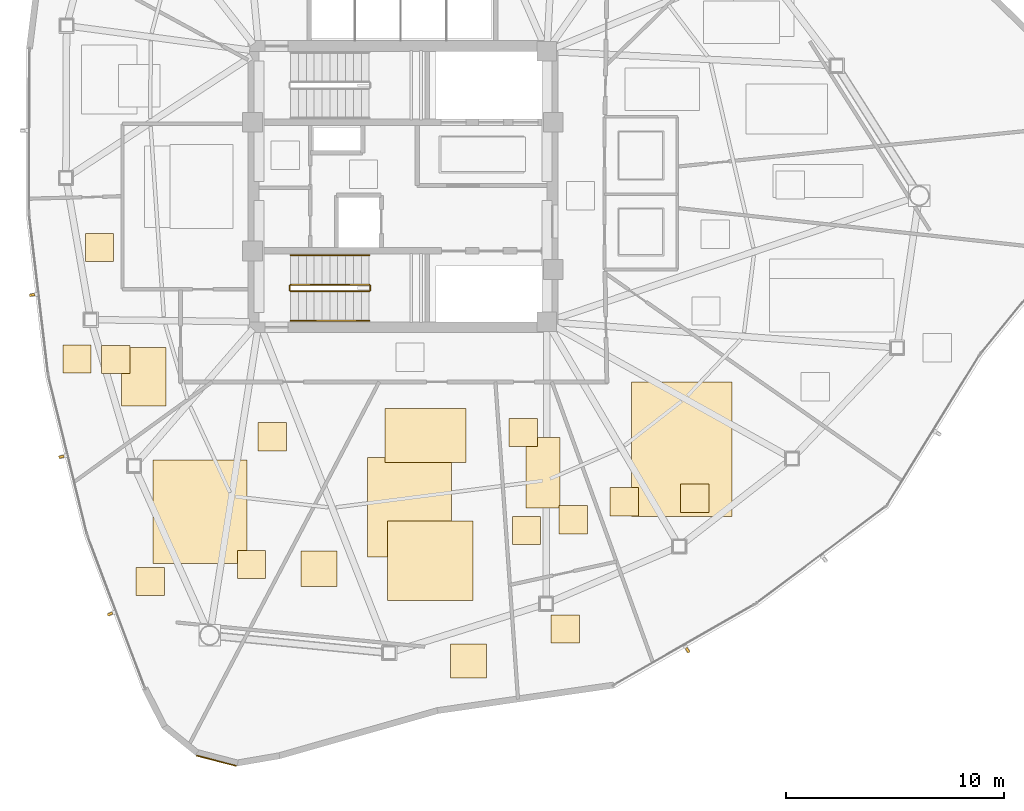
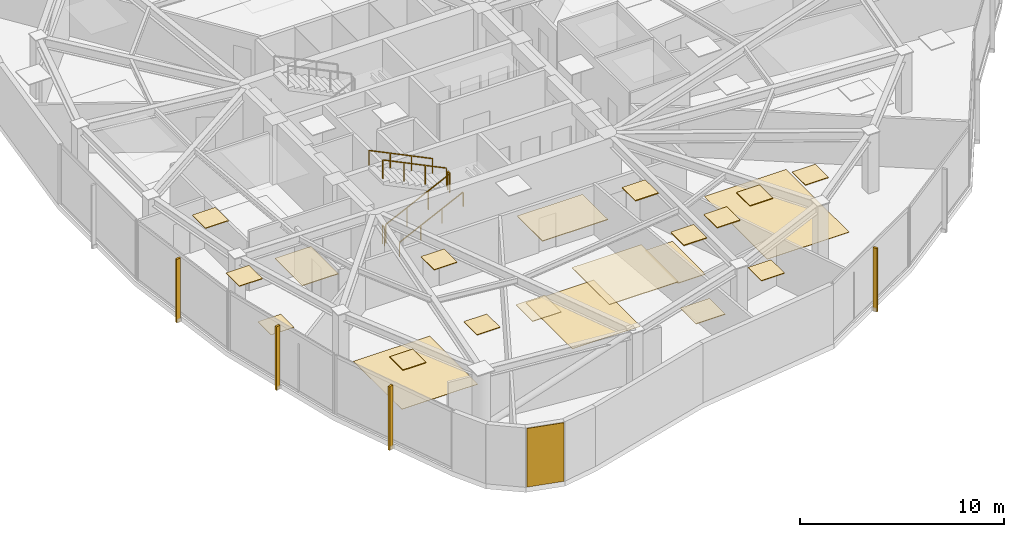
# One storey, part 15 of 18: 22 coverings, 6 railings, 4 shading devices.
"""IFC4 building model written with IfcOpenShell, lengths in metres."""

from ifc_helpers import new_model, si_unit, direction, frame, origin, origin_2d, place, context, subcontext, project, spatial, polyline, rectangle, outline, extrude, source, transform, mapped, material, layer, layer_set, type_object, type_shapes, element, save


model = new_model("IFC4")

# Units and contexts
model_context = context("Model", 3, precision=1e-05, world=origin(), true_north=direction((0.0, 1.0)))
body_context = subcontext(model_context, "Body", "Model", "MODEL_VIEW")
ifc_project = project(units=[si_unit("LENGTHUNIT", "METRE"), si_unit("AREAUNIT", "SQUARE_METRE"), si_unit("VOLUMEUNIT", "CUBIC_METRE"), si_unit("PLANEANGLEUNIT", "RADIAN"), si_unit("MASSUNIT", "GRAM", prefix="KILO")], contexts=[model_context])

# Site, building, storey
site_placement = place(None, origin())
site = spatial("IfcSite", under=ifc_project, at=site_placement, CompositionType="ELEMENT")
building_placement = place(site_placement, origin())
building = spatial("IfcBuilding", under=site, at=building_placement, Name="Tavelor Broadcast Tower", CompositionType="ELEMENT")
storey_placement = place(building_placement, frame((0.0, 0.0, 173.35009765625)))
storey = spatial("IfcBuildingStorey", under=building, at=storey_placement, Name="L41", CompositionType="ELEMENT", Elevation=173.35009765625)

# Covering
ifc_material_1 = material(Name="Copper-Bronze Anodized Aluminium", Category="aluminium")
ifc_layer_1 = layer(ifc_material_1, 0.050048828125)
ifc_layer_set_1 = layer_set([ifc_layer_1], Name="Copper-Bronze Anodized Aluminium")
covering_type_1 = type_object("IfcCoveringType", Name="Champagne-Bronze Corner Pier Metal Cladding 50 mm", PredefinedType="CLADDING", material=ifc_layer_set_1)
covering_1_placement = place(storey_placement, frame((41.44384765625, 18.67578125, 0.02001953125), z_axis=(0.0, 0.0, 1.0), x_axis=(0.96792877399, -0.251224776808, 0.0)))
element("IfcCovering", 1, at=covering_1_placement, inside=storey, type_object=covering_type_1, Name="L41 Champagne-Bronze Corner Cladding 13", PredefinedType="CLADDING", context=body_context, shape_type="SweptSolid", body=[
    extrude(rectangle(XDim=1.88037109375, YDim=0.050048828125, at=origin_2d()), origin(), (0.0, 0.0, 1.0), 3.510009765625),
])

# Railings
ifc_material_2 = material(Name="Steel S355", Category="steel")
railing_type_1 = type_object("IfcRailingType", Name="Continuous Brushed Stainless Handrail 900 mm", PredefinedType="HANDRAIL", material=ifc_material_2)
railing_1_placement = place(storey_placement, frame((44.85009765625, 38.85009765625, 0.1748046875)))
element("IfcRailing", 2, at=railing_1_placement, inside=storey, type_object=railing_type_1, Name="L41 ST2 stair handrail 1", PredefinedType="HANDRAIL", context=body_context, shape_type="SweptSolid", body=[
    extrude(rectangle(XDim=0.048095703125, YDim=0.048095703125, at=origin_2d()), frame((0.0, 0.0, 0.8759765625), z_axis=(0.899360859046, 0.0, 0.437207096483), x_axis=(0.0, 1.0, 0.0)), (0.0, 0.0, 1.0), 4.002685546875),
    extrude(rectangle(XDim=0.0419921875, YDim=0.0419921875, at=origin_2d()), origin(), (0.0, 0.0, 1.0), 0.851806640625),
    extrude(rectangle(XDim=0.0419921875, YDim=0.0419921875, at=origin_2d()), frame((1.199951171875, 0.0, 0.583251953125)), (0.0, 0.0, 1.0), 0.851806640625),
    extrude(rectangle(XDim=0.0419921875, YDim=0.0419921875, at=origin_2d()), frame((2.39990234375, 0.0, 1.166748046875)), (0.0, 0.0, 1.0), 0.851806640625),
    extrude(rectangle(XDim=0.0419921875, YDim=0.0419921875, at=origin_2d()), frame((3.599853515625, 0.0, 1.75)), (0.0, 0.0, 1.0), 0.851806640625),
])
railing_2_placement = place(storey_placement, frame((48.449951171875, 41.85009765625, 2.099853515625)))
element("IfcRailing", 3, at=railing_2_placement, inside=storey, type_object=railing_type_1, Name="L41 ST2 stair handrail 2", PredefinedType="HANDRAIL", context=body_context, shape_type="SweptSolid", body=[
    extrude(rectangle(XDim=0.048095703125, YDim=0.048095703125, at=origin_2d()), frame((0.0, 0.0, 0.8759765625), z_axis=(-0.899360859046, 0.0, 0.437207096483), x_axis=(0.0, -1.0, 0.0)), (0.0, 0.0, 1.0), 4.002685546875),
    extrude(rectangle(XDim=0.0419921875, YDim=0.0419921875, at=origin_2d()), origin(), (0.0, 0.0, 1.0), 0.851806640625),
    extrude(rectangle(XDim=0.0419921875, YDim=0.0419921875, at=origin_2d()), frame((-1.199951171875, 0.0, 0.583251953125)), (0.0, 0.0, 1.0), 0.851806640625),
    extrude(rectangle(XDim=0.0419921875, YDim=0.0419921875, at=origin_2d()), frame((-2.39990234375, 0.0, 1.166748046875)), (0.0, 0.0, 1.0), 0.851806640625),
    extrude(rectangle(XDim=0.0419921875, YDim=0.0419921875, at=origin_2d()), frame((-3.599853515625, 0.0, 1.75)), (0.0, 0.0, 1.0), 0.851806640625),
])

# Coverings
ifc_material_3 = material(Name="Acoustic Nylon Carpet Tile")
ifc_layer_2 = layer(ifc_material_3, 0.02001953125)
ifc_layer_set_2 = layer_set([ifc_layer_2], Name="Acoustic Nylon Carpet Tile")
covering_type_2 = type_object("IfcCoveringType", Name="Heavy-Duty Acoustic Broadcast Carpet Tile 20 mm", PredefinedType="FLOORING", material=ifc_layer_set_2)
covering_2_placement = place(storey_placement, origin())
element("IfcCovering", 4, at=covering_2_placement, inside=storey, type_object=covering_type_2, Name="L41 Broadcast Floor Finish 0597", PredefinedType="FLOORING", context=body_context, shape_type="SweptSolid", body=[
    extrude(outline(polyline([(60.472412109375, 29.869140625), (65.097412109375, 29.869140625), (65.097412109375, 36.05029296875), (60.472412109375, 36.05029296875), (60.472412109375, 29.869140625)])), origin(), (0.0, 0.0, 1.0), 0.02001953125),
])
covering_3_placement = place(storey_placement, origin())
element("IfcCovering", 5, at=covering_3_placement, inside=storey, type_object=covering_type_2, Name="L41 Broadcast Floor Finish 0598", PredefinedType="FLOORING", context=body_context, shape_type="SweptSolid", body=[
    extrude(outline(polyline([(48.365478515625, 28.01513671875), (52.219482421875, 28.01513671875), (52.219482421875, 32.57470703125), (48.365478515625, 32.57470703125), (48.365478515625, 28.01513671875)])), origin(), (0.0, 0.0, 1.0), 0.02001953125),
])
covering_4_placement = place(storey_placement, origin())
element("IfcCovering", 6, at=covering_4_placement, inside=storey, type_object=covering_type_2, Name="L41 Broadcast Floor Finish 0599", PredefinedType="FLOORING", context=body_context, shape_type="SweptSolid", body=[
    extrude(outline(polyline([(38.547119140625, 27.718505859375), (42.8564453125, 27.718505859375), (42.8564453125, 32.45361328125), (38.547119140625, 32.45361328125), (38.547119140625, 27.718505859375)])), origin(), (0.0, 0.0, 1.0), 0.02001953125),
])
covering_5_placement = place(storey_placement, origin())
element("IfcCovering", 7, at=covering_5_placement, inside=storey, type_object=covering_type_2, Name="L41 Broadcast Floor Finish 0600", PredefinedType="FLOORING", context=body_context, shape_type="SweptSolid", body=[
    extrude(outline(polyline([(36.18310546875, 36.4228515625), (37.483154296875, 36.4228515625), (37.483154296875, 37.722900390625), (36.18310546875, 37.722900390625), (36.18310546875, 36.4228515625)])), origin(), (0.0, 0.0, 1.0), 0.02001953125),
])
ifc_material_4 = material(Name="Acoustic Hardwood Studio Flooring", Category="wood")
ifc_layer_3 = layer(ifc_material_4, 0.034912109375)
ifc_layer_set_3 = layer_set([ifc_layer_3], Name="Acoustic Hardwood Studio Flooring")
covering_type_3 = type_object("IfcCoveringType", Name="Isolated Studio Acoustic Elastomeric Floor Finish 35 mm", PredefinedType="FLOORING", material=ifc_layer_set_3)
covering_6_placement = place(storey_placement, origin())
element("IfcCovering", 8, at=covering_6_placement, inside=storey, type_object=covering_type_3, Name="L41 Broadcast Floor Finish 0610", PredefinedType="FLOORING", context=body_context, shape_type="SweptSolid", body=[
    extrude(outline(polyline([(55.64794921875, 30.26611328125), (57.1953125, 30.26611328125), (57.1953125, 33.494140625), (55.64794921875, 33.494140625), (55.64794921875, 30.26611328125)])), origin(), (0.0, 0.0, 1.0), 0.034912109375),
])
ifc_material_5 = material(Name="Acoustic Perforated Timber Baffle", Category="wood")
ifc_layer_4 = layer(ifc_material_5, 0.054931640625)
ifc_layer_set_4 = layer_set([ifc_layer_4], Name="Acoustic Perforated Timber Baffle")
covering_type_4 = type_object("IfcCoveringType", Name="Micro-Perforated Acoustic Baffle Studio Ceiling 55 mm", PredefinedType="CEILING", material=ifc_layer_set_4)
covering_7_placement = place(storey_placement, frame((0.0, 0.0, 3.494873046875)))
element("IfcCovering", 9, at=covering_7_placement, inside=storey, type_object=covering_type_4, Name="L41 Suspended Acoustic Ceiling 1728", PredefinedType="CEILING", context=body_context, shape_type="SweptSolid", body=[
    extrude(outline(polyline([(55.01171875, 28.580322265625), (56.311767578125, 28.580322265625), (56.311767578125, 29.88037109375), (55.01171875, 29.88037109375), (55.01171875, 28.580322265625)])), origin(), (0.0, 0.0, 1.0), 0.054931640625),
])
covering_8_placement = place(storey_placement, frame((0.0, 0.0, 3.494873046875)))
element("IfcCovering", 10, at=covering_8_placement, inside=storey, type_object=covering_type_4, Name="L41 Suspended Acoustic Ceiling 1729", PredefinedType="CEILING", context=body_context, shape_type="SweptSolid", body=[
    extrude(outline(polyline([(54.858154296875, 33.07470703125), (56.158203125, 33.07470703125), (56.158203125, 34.37451171875), (54.858154296875, 34.37451171875), (54.858154296875, 33.07470703125)])), origin(), (0.0, 0.0, 1.0), 0.054931640625),
])
covering_9_placement = place(storey_placement, frame((0.0, 0.0, 3.494873046875)))
element("IfcCovering", 11, at=covering_9_placement, inside=storey, type_object=covering_type_4, Name="L41 Suspended Acoustic Ceiling 1730", PredefinedType="CEILING", context=body_context, shape_type="SweptSolid", body=[
    extrude(outline(polyline([(57.166748046875, 29.07470703125), (58.466796875, 29.07470703125), (58.466796875, 30.374755859375), (57.166748046875, 30.374755859375), (57.166748046875, 29.07470703125)])), origin(), (0.0, 0.0, 1.0), 0.054931640625),
])

# Railings
railing_type_2 = type_object("IfcRailingType", Name="Stairwell Steel Safety Guardrail 1150 mm", PredefinedType="GUARDRAIL", material=ifc_material_2)
railing_3_placement = place(storey_placement, frame((44.85009765625, 40.199951171875, 0.1748046875)))
element("IfcRailing", 12, at=railing_3_placement, inside=storey, type_object=railing_type_2, Name="L41 ST2 stair guard 1", PredefinedType="GUARDRAIL", context=body_context, shape_type="SweptSolid", body=[
    extrude(rectangle(XDim=0.048095703125, YDim=0.048095703125, at=origin_2d()), frame((0.0, 0.0, 1.1259765625), z_axis=(0.899360859046, 0.0, 0.437207096483), x_axis=(0.0, 1.0, 0.0)), (0.0, 0.0, 1.0), 4.002685546875),
    extrude(rectangle(XDim=0.0419921875, YDim=0.0419921875, at=origin_2d()), origin(), (0.0, 0.0, 1.0), 1.101806640625),
    extrude(rectangle(XDim=0.0419921875, YDim=0.0419921875, at=origin_2d()), frame((1.199951171875, 0.0, 0.583251953125)), (0.0, 0.0, 1.0), 1.101806640625),
    extrude(rectangle(XDim=0.0419921875, YDim=0.0419921875, at=origin_2d()), frame((2.39990234375, 0.0, 1.166748046875)), (0.0, 0.0, 1.0), 1.101806640625),
    extrude(rectangle(XDim=0.0419921875, YDim=0.0419921875, at=origin_2d()), frame((3.599853515625, 0.0, 1.75)), (0.0, 0.0, 1.0), 1.101806640625),
])
railing_4_placement = place(storey_placement, frame((48.5, 40.25, 1.9248046875)))
element("IfcRailing", 13, at=railing_4_placement, inside=storey, type_object=railing_type_2, Name="L41 ST2 stair guard 2", PredefinedType="GUARDRAIL", context=body_context, shape_type="SweptSolid", body=[
    extrude(rectangle(XDim=0.048095703125, YDim=0.048095703125, at=origin_2d()), frame((0.0, 0.0, 1.1259765625), z_axis=(0.0, 1.0, 0.0), x_axis=(-1.0, 0.0, 0.0)), (0.0, 0.0, 1.0), 0.199951171875),
    extrude(rectangle(XDim=0.0419921875, YDim=0.0419921875, at=origin_2d()), origin(), (0.0, 0.0, 1.0), 1.101806640625),
    extrude(rectangle(XDim=0.0419921875, YDim=0.0419921875, at=origin_2d()), frame((0.0, 0.199951171875, 0.0)), (0.0, 0.0, 1.0), 1.101806640625),
])
railing_5_placement = place(storey_placement, frame((48.449951171875, 40.5, 2.099853515625)))
element("IfcRailing", 14, at=railing_5_placement, inside=storey, type_object=railing_type_2, Name="L41 ST2 stair guard 3", PredefinedType="GUARDRAIL", context=body_context, shape_type="SweptSolid", body=[
    extrude(rectangle(XDim=0.048095703125, YDim=0.048095703125, at=origin_2d()), frame((0.0, 0.0, 1.1259765625), z_axis=(-0.899360859046, 0.0, 0.437207096483), x_axis=(0.0, -1.0, 0.0)), (0.0, 0.0, 1.0), 4.002685546875),
    extrude(rectangle(XDim=0.0419921875, YDim=0.0419921875, at=origin_2d()), origin(), (0.0, 0.0, 1.0), 1.101806640625),
    extrude(rectangle(XDim=0.0419921875, YDim=0.0419921875, at=origin_2d()), frame((-1.199951171875, 0.0, 0.583251953125)), (0.0, 0.0, 1.0), 1.101806640625),
    extrude(rectangle(XDim=0.0419921875, YDim=0.0419921875, at=origin_2d()), frame((-2.39990234375, 0.0, 1.166748046875)), (0.0, 0.0, 1.0), 1.101806640625),
    extrude(rectangle(XDim=0.0419921875, YDim=0.0419921875, at=origin_2d()), frame((-3.599853515625, 0.0, 1.75)), (0.0, 0.0, 1.0), 1.101806640625),
])
railing_6_placement = place(storey_placement, frame((44.800048828125, 40.25, 0.0)))
element("IfcRailing", 15, at=railing_6_placement, inside=storey, type_object=railing_type_2, Name="L41 ST2 stair guard 4", PredefinedType="GUARDRAIL", context=body_context, shape_type="SweptSolid", body=[
    extrude(rectangle(XDim=0.048095703125, YDim=0.048095703125, at=origin_2d()), frame((0.0, 0.0, 1.1259765625), z_axis=(0.0, 1.0, 0.0), x_axis=(-1.0, 0.0, 0.0)), (0.0, 0.0, 1.0), 0.199951171875),
    extrude(rectangle(XDim=0.0419921875, YDim=0.0419921875, at=origin_2d()), origin(), (0.0, 0.0, 1.0), 1.101806640625),
    extrude(rectangle(XDim=0.0419921875, YDim=0.0419921875, at=origin_2d()), frame((0.0, 0.199951171875, 0.0)), (0.0, 0.0, 1.0), 1.101806640625),
])

# Coverings
ifc_material_6 = material(Name="Acoustic Mineral Fibre Tile")
ifc_layer_5 = layer(ifc_material_6, 0.0400390625)
ifc_layer_set_5 = layer_set([ifc_layer_5], Name="Acoustic Mineral Fibre Tile")
covering_type_5 = type_object("IfcCoveringType", Name="Suspended Acoustic Mineral-Fibre Office Ceiling 40 mm", PredefinedType="CEILING", material=ifc_layer_set_5)
covering_10_placement = place(storey_placement, frame((0.0, 0.0, 3.510009765625)))
element("IfcCovering", 16, at=covering_10_placement, inside=storey, type_object=covering_type_5, Name="L41 Suspended Acoustic Ceiling 1694", PredefinedType="CEILING", context=body_context, shape_type="SweptSolid", body=[
    extrude(outline(polyline([(59.4912109375, 29.8935546875), (60.791259765625, 29.8935546875), (60.791259765625, 31.193603515625), (59.4912109375, 31.193603515625), (59.4912109375, 29.8935546875)])), origin(), (0.0, 0.0, 1.0), 0.039794921875),
])
covering_11_placement = place(storey_placement, frame((0.0, 0.0, 3.510009765625)))
element("IfcCovering", 17, at=covering_11_placement, inside=storey, type_object=covering_type_5, Name="L41 Suspended Acoustic Ceiling 1695", PredefinedType="CEILING", context=body_context, shape_type="SweptSolid", body=[
    extrude(outline(polyline([(62.7353515625, 30.05615234375), (64.035400390625, 30.05615234375), (64.035400390625, 31.356201171875), (62.7353515625, 31.356201171875), (62.7353515625, 30.05615234375)])), origin(), (0.0, 0.0, 1.0), 0.039794921875),
])
covering_12_placement = place(storey_placement, frame((0.0, 0.0, 3.510009765625)))
element("IfcCovering", 18, at=covering_12_placement, inside=storey, type_object=covering_type_5, Name="L41 Suspended Acoustic Ceiling 1696", PredefinedType="CEILING", context=body_context, shape_type="SweptSolid", body=[
    extrude(outline(polyline([(56.78759765625, 24.064697265625), (58.08740234375, 24.064697265625), (58.08740234375, 25.36474609375), (56.78759765625, 25.36474609375), (56.78759765625, 24.064697265625)])), origin(), (0.0, 0.0, 1.0), 0.039794921875),
])
covering_13_placement = place(storey_placement, frame((0.0, 0.0, 3.510009765625)))
element("IfcCovering", 19, at=covering_13_placement, inside=storey, type_object=covering_type_5, Name="L41 Suspended Acoustic Ceiling 1697", PredefinedType="CEILING", context=body_context, shape_type="SweptSolid", body=[
    extrude(outline(polyline([(52.171142578125, 22.474609375), (53.823486328125, 22.474609375), (53.823486328125, 24.02490234375), (52.171142578125, 24.02490234375), (52.171142578125, 22.474609375)])), origin(), (0.0, 0.0, 1.0), 0.039794921875),
])
covering_14_placement = place(storey_placement, frame((0.0, 0.0, 3.510009765625)))
element("IfcCovering", 20, at=covering_14_placement, inside=storey, type_object=covering_type_5, Name="L41 Suspended Acoustic Ceiling 1698", PredefinedType="CEILING", context=body_context, shape_type="SweptSolid", body=[
    extrude(outline(polyline([(49.302490234375, 26.02001953125), (53.214599609375, 26.02001953125), (53.214599609375, 29.671142578125), (49.302490234375, 29.671142578125), (49.302490234375, 26.02001953125)])), origin(), (0.0, 0.0, 1.0), 0.039794921875),
])
covering_15_placement = place(storey_placement, frame((0.0, 0.0, 3.510009765625)))
element("IfcCovering", 21, at=covering_15_placement, inside=storey, type_object=covering_type_5, Name="L41 Suspended Acoustic Ceiling 1699", PredefinedType="CEILING", context=body_context, shape_type="SweptSolid", body=[
    extrude(outline(polyline([(45.334716796875, 26.657470703125), (46.97705078125, 26.657470703125), (46.97705078125, 28.29443359375), (45.334716796875, 28.29443359375), (45.334716796875, 26.657470703125)])), origin(), (0.0, 0.0, 1.0), 0.039794921875),
])
covering_16_placement = place(storey_placement, frame((0.0, 0.0, 3.510009765625)))
element("IfcCovering", 22, at=covering_16_placement, inside=storey, type_object=covering_type_5, Name="L41 Suspended Acoustic Ceiling 1700", PredefinedType="CEILING", context=body_context, shape_type="SweptSolid", body=[
    extrude(outline(polyline([(49.186279296875, 32.357177734375), (52.881591796875, 32.357177734375), (52.881591796875, 34.8310546875), (49.186279296875, 34.8310546875), (49.186279296875, 32.357177734375)])), origin(), (0.0, 0.0, 1.0), 0.039794921875),
])
covering_17_placement = place(storey_placement, frame((0.0, 0.0, 3.510009765625)))
element("IfcCovering", 23, at=covering_17_placement, inside=storey, type_object=covering_type_5, Name="L41 Suspended Acoustic Ceiling 1701", PredefinedType="CEILING", context=body_context, shape_type="SweptSolid", body=[
    extrude(outline(polyline([(37.759521484375, 26.240478515625), (39.0595703125, 26.240478515625), (39.0595703125, 27.54052734375), (37.759521484375, 27.54052734375), (37.759521484375, 26.240478515625)])), origin(), (0.0, 0.0, 1.0), 0.039794921875),
])
covering_18_placement = place(storey_placement, frame((0.0, 0.0, 3.510009765625)))
element("IfcCovering", 24, at=covering_18_placement, inside=storey, type_object=covering_type_5, Name="L41 Suspended Acoustic Ceiling 1702", PredefinedType="CEILING", context=body_context, shape_type="SweptSolid", body=[
    extrude(outline(polyline([(43.3642578125, 32.883544921875), (44.664306640625, 32.883544921875), (44.664306640625, 34.18359375), (43.3642578125, 34.18359375), (43.3642578125, 32.883544921875)])), origin(), (0.0, 0.0, 1.0), 0.039794921875),
])
covering_19_placement = place(storey_placement, frame((0.0, 0.0, 3.510009765625)))
element("IfcCovering", 25, at=covering_19_placement, inside=storey, type_object=covering_type_5, Name="L41 Suspended Acoustic Ceiling 1703", PredefinedType="CEILING", context=body_context, shape_type="SweptSolid", body=[
    extrude(outline(polyline([(42.408447265625, 27.022705078125), (43.70849609375, 27.022705078125), (43.70849609375, 28.322509765625), (42.408447265625, 28.322509765625), (42.408447265625, 27.022705078125)])), origin(), (0.0, 0.0, 1.0), 0.039794921875),
])
covering_20_placement = place(storey_placement, frame((0.0, 0.0, 3.510009765625)))
element("IfcCovering", 26, at=covering_20_placement, inside=storey, type_object=covering_type_5, Name="L41 Suspended Acoustic Ceiling 1704", PredefinedType="CEILING", context=body_context, shape_type="SweptSolid", body=[
    extrude(outline(polyline([(34.402099609375, 36.448974609375), (35.701904296875, 36.448974609375), (35.701904296875, 37.748779296875), (34.402099609375, 37.748779296875), (34.402099609375, 36.448974609375)])), origin(), (0.0, 0.0, 1.0), 0.039794921875),
])
covering_21_placement = place(storey_placement, frame((0.0, 0.0, 3.510009765625)))
element("IfcCovering", 27, at=covering_21_placement, inside=storey, type_object=covering_type_5, Name="L41 Suspended Acoustic Ceiling 1705", PredefinedType="CEILING", context=body_context, shape_type="SweptSolid", body=[
    extrude(outline(polyline([(35.438720703125, 41.561767578125), (36.738525390625, 41.561767578125), (36.738525390625, 42.86181640625), (35.438720703125, 42.86181640625), (35.438720703125, 41.561767578125)])), origin(), (0.0, 0.0, 1.0), 0.039794921875),
])
covering_22_placement = place(storey_placement, frame((0.0, 0.0, 3.510009765625)))
element("IfcCovering", 28, at=covering_22_placement, inside=storey, type_object=covering_type_5, Name="L41 Suspended Acoustic Ceiling 1706", PredefinedType="CEILING", context=body_context, shape_type="SweptSolid", body=[
    extrude(outline(polyline([(37.093994140625, 34.9453125), (39.1328125, 34.9453125), (39.1328125, 37.629150390625), (37.093994140625, 37.629150390625), (37.093994140625, 34.9453125)])), origin(), (0.0, 0.0, 1.0), 0.039794921875),
])

# Shading devices
ifc_material_7 = material(Name="Kiln-Fired Glazed Terracotta", Category="masonry")
shading_device_type = type_object("IfcShadingDeviceType", Name="Extruded Terracotta Baguette Sun-Screen 110x240", PredefinedType="JALOUSIE", material=ifc_material_7)
shared_shape = source(origin(), body_context, "Body", "SweptSolid", [
    extrude(rectangle(XDim=0.110107421875, YDim=0.239990234375, at=origin_2d()), origin(), (0.0, 0.0, 1.0), 3.7900390625),
])
type_shapes(shading_device_type, [shared_shape])
for number, where, z_axis, x_axis, name in (
    (29, (32.994384765625, 40.03369140625, -0.260009765625), (0.0, 0.0, 1.0), (0.11805735075, -0.993006778393, 0.0), "L41 Terracotta Baguette Fin 422"),
    (30, (34.3369140625, 32.610107421875, -0.260009765625), (0.0, 0.0, 1.0), (0.237346815507, -0.971424978662, 0.0), "L41 Terracotta Baguette Fin 423"),
    (31, (36.568115234375, 25.40380859375, -0.260009765625), (0.0, 0.0, 1.0), (0.353148290685, -0.935567359834, 0.0), "L41 Terracotta Baguette Fin 424"),
    (32, (63.051513671875, 23.7412109375, -0.260009765625), (0.0, 0.0, 1.0), (0.867591923867, 0.49727683803, 0.0), "L41 Terracotta Baguette Fin 425"),
):
    element("IfcShadingDevice", number, at=place(storey_placement, frame(where, z_axis=z_axis, x_axis=x_axis)), inside=storey, type_object=shading_device_type, Name=name, PredefinedType="JALOUSIE", context=body_context, shape_type="MappedRepresentation", body=[
        mapped(shared_shape, transform((0.0, 0.0, 0.0), scale=1.0)),
    ])

save(model, "model.ifc")
